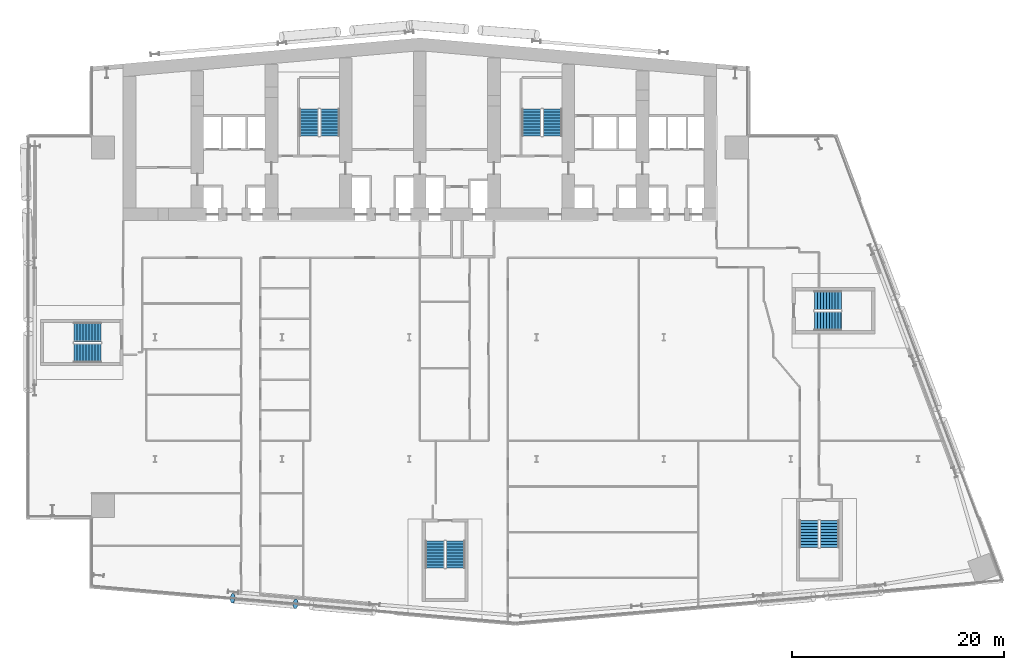
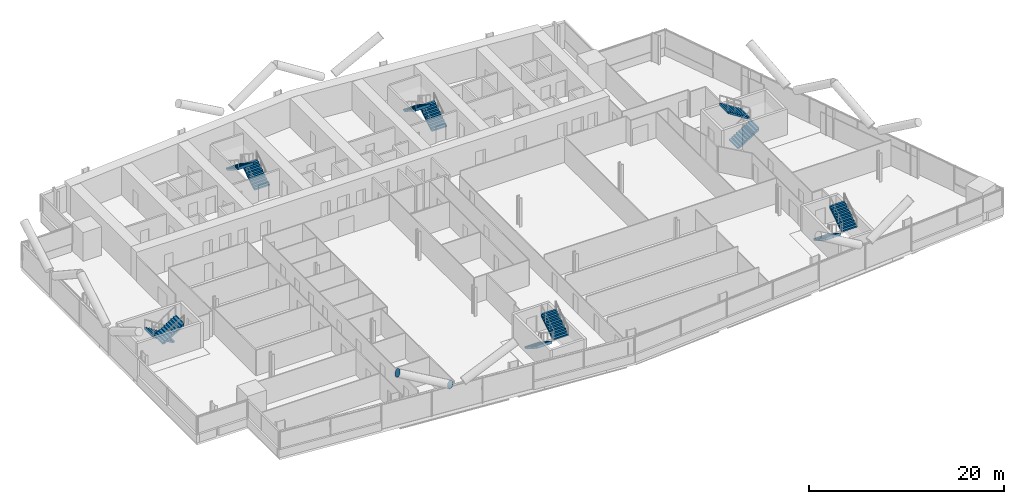
# One storey, part 20 of 27: 12 stair flights, 2 discrete accessories, 6 elements without a shape of their own.
"""IFC4 building model written with IfcOpenShell, lengths in metres."""

from ifc_helpers import new_model, si_unit, direction, frame, origin, origin_2d, place, context, subcontext, project, spatial, polyline, circle, outline, extrude, material, material_profile, profile_set, type_object, element, aggregate, save


model = new_model("IFC4")

# Units and contexts
model_context = context("Model", 3, precision=1e-05, world=origin(), true_north=direction((0.0, 1.0)))
body_context = subcontext(model_context, "Body", "Model", "MODEL_VIEW")
ifc_project = project(units=[si_unit("LENGTHUNIT", "METRE"), si_unit("AREAUNIT", "SQUARE_METRE"), si_unit("VOLUMEUNIT", "CUBIC_METRE"), si_unit("PLANEANGLEUNIT", "RADIAN"), si_unit("MASSUNIT", "GRAM", prefix="KILO")], contexts=[model_context])

# Site, building, storey
site_placement = place(None, origin())
site = spatial("IfcSite", under=ifc_project, at=site_placement, CompositionType="ELEMENT")
building_placement = place(site_placement, origin())
building = spatial("IfcBuilding", under=site, at=building_placement, Name="Wharfspan Tower", CompositionType="ELEMENT")
storey_placement = place(building_placement, frame((0.0, 0.0, 77.5)))
storey = spatial("IfcBuildingStorey", under=building, at=storey_placement, Name="L16", CompositionType="ELEMENT", Elevation=77.5)

# Stair, stair flights
ifc_material_1 = material(Name="Concrete C40/50", Category="concrete")
stair_type = type_object("IfcStairType", Name="Half-turn stair 20 risers 180 mm", PredefinedType="HALF_TURN_STAIR", material=ifc_material_1)
stair_1_placement = place(storey_placement, origin())
stair_1 = element("IfcStair", 1, at=stair_1_placement, inside=storey, type_object=stair_type, Name="L16 stair ST1", PredefinedType="HALF_TURN_STAIR")
stair_flight_type = type_object("IfcStairFlightType", Name="Stair flight 20 risers 180 mm", PredefinedType="STRAIGHT", material=ifc_material_1)
stair_flight_1_placement = place(storey_placement, frame((28.5, 42.0, 0.0), z_axis=(0.0, 0.0, 1.0), x_axis=(0.0, 1.0, 0.0)))
stair_flight_1 = element("IfcStairFlight", 2, at=stair_flight_1_placement, type_object=stair_flight_type, Name="ST1 flight 1", NumberOfRisers=10, NumberOfTreads=9, PredefinedType="STRAIGHT", RiserHeight=0.18, TreadLength=0.28, context=body_context, shape_type="SweptSolid", body=[
    extrude(outline(polyline([(-0.011963, 0.0), (-0.011963, 0.179932), (0.0, 0.179932), (0.280029, 0.179932), (0.280029, 0.360107), (0.560059, 0.360107), (0.560059, 0.540039), (0.840088, 0.540039), (0.840088, 0.719971), (1.120117, 0.719971), (1.120117, 0.899902), (1.399902, 0.899902), (1.399902, 1.080078), (1.679932, 1.080078), (1.679932, 1.26001), (1.959961, 1.26001), (1.959961, 1.439941), (2.23999, 1.439941), (2.23999, 1.620117), (2.52002, 1.620117), (2.531982, 1.800049), (2.531982, 1.441895), (0.2771, 0.0), (-0.011963, 0.0)])), frame((0.0, 0.899902, 0.0), z_axis=(0.0, -1.0, 0.0), x_axis=(1.0, 0.0, 0.0)), (0.0, 0.0, 1.0), 0.899414),
    extrude(outline(polyline([(-0.011963, 0.0), (-0.011963, 0.179932), (0.0, 0.179932), (0.280029, 0.179932), (0.280029, 0.360107), (0.560059, 0.360107), (0.560059, 0.540039), (0.840088, 0.540039), (0.840088, 0.719971), (1.120117, 0.719971), (1.120117, 0.899902), (1.399902, 0.899902), (1.399902, 1.080078), (1.679932, 1.080078), (1.679932, 1.26001), (1.959961, 1.26001), (1.959961, 1.439941), (2.23999, 1.439941), (2.23999, 1.620117), (2.52002, 1.620117), (2.531982, 1.800049), (2.531982, 1.441895), (0.2771, 0.0), (-0.011963, 0.0)])), frame((0.0, -0.000488, 0.0), z_axis=(0.0, -1.0, 0.0), x_axis=(1.0, 0.0, 0.0)), (0.0, 0.0, 1.0), 0.899414),
])
stair_flight_2_placement = place(storey_placement, frame((26.550049, 44.52002, 1.800049), z_axis=(0.0, 0.0, 1.0), x_axis=(0.0, -1.0, 0.0)))
stair_flight_2 = element("IfcStairFlight", 3, at=stair_flight_2_placement, type_object=stair_flight_type, Name="ST1 flight 2", NumberOfRisers=10, NumberOfTreads=9, PredefinedType="STRAIGHT", RiserHeight=0.18, TreadLength=0.28, context=body_context, shape_type="SweptSolid", body=[
    extrude(outline(polyline([(-0.011963, 0.0), (-0.011963, 0.179932), (0.0, 0.179932), (0.280029, 0.179932), (0.280029, 0.360107), (0.560059, 0.360107), (0.560059, 0.540039), (0.840088, 0.540039), (0.840088, 0.719971), (1.120117, 0.719971), (1.120117, 0.899902), (1.399902, 0.899902), (1.399902, 1.080078), (1.679932, 1.080078), (1.679932, 1.26001), (1.959961, 1.26001), (1.959961, 1.439941), (2.23999, 1.439941), (2.23999, 1.620117), (2.52002, 1.620117), (2.531982, 1.800049), (2.531982, 1.441895), (0.2771, 0.0), (-0.011963, 0.0)])), frame((0.0, 0.899902, 0.0), z_axis=(0.0, -1.0, 0.0), x_axis=(1.0, 0.0, 0.0)), (0.0, 0.0, 1.0), 0.899414),
    extrude(outline(polyline([(-0.011963, 0.0), (-0.011963, 0.179932), (0.0, 0.179932), (0.280029, 0.179932), (0.280029, 0.360107), (0.560059, 0.360107), (0.560059, 0.540039), (0.840088, 0.540039), (0.840088, 0.719971), (1.120117, 0.719971), (1.120117, 0.899902), (1.399902, 0.899902), (1.399902, 1.080078), (1.679932, 1.080078), (1.679932, 1.26001), (1.959961, 1.26001), (1.959961, 1.439941), (2.23999, 1.439941), (2.23999, 1.620117), (2.52002, 1.620117), (2.531982, 1.800049), (2.531982, 1.441895), (0.2771, 0.0), (-0.011963, 0.0)])), frame((0.0, -0.000488, 0.0), z_axis=(0.0, -1.0, 0.0), x_axis=(1.0, 0.0, 0.0)), (0.0, 0.0, 1.0), 0.899414),
])
aggregate(stair_1, [stair_flight_1, stair_flight_2])

stair_2_placement = place(storey_placement, origin())
stair_2 = element("IfcStair", 4, at=stair_2_placement, inside=storey, type_object=stair_type, Name="L16 stair ST2", PredefinedType="HALF_TURN_STAIR")
stair_flight_3_placement = place(storey_placement, frame((49.5, 42.0, 0.0), z_axis=(0.0, 0.0, 1.0), x_axis=(0.0, 1.0, 0.0)))
stair_flight_3 = element("IfcStairFlight", 5, at=stair_flight_3_placement, type_object=stair_flight_type, Name="ST2 flight 1", NumberOfRisers=10, NumberOfTreads=9, PredefinedType="STRAIGHT", RiserHeight=0.18, TreadLength=0.28, context=body_context, shape_type="SweptSolid", body=[
    extrude(outline(polyline([(-0.011963, 0.0), (-0.011963, 0.179932), (0.0, 0.179932), (0.280029, 0.179932), (0.280029, 0.360107), (0.560059, 0.360107), (0.560059, 0.540039), (0.840088, 0.540039), (0.840088, 0.719971), (1.120117, 0.719971), (1.120117, 0.899902), (1.399902, 0.899902), (1.399902, 1.080078), (1.679932, 1.080078), (1.679932, 1.26001), (1.959961, 1.26001), (1.959961, 1.439941), (2.23999, 1.439941), (2.23999, 1.620117), (2.52002, 1.620117), (2.531982, 1.800049), (2.531982, 1.441895), (0.2771, 0.0), (-0.011963, 0.0)])), frame((0.0, 0.899902, 0.0), z_axis=(0.0, -1.0, 0.0), x_axis=(1.0, 0.0, 0.0)), (0.0, 0.0, 1.0), 0.899414),
    extrude(outline(polyline([(-0.011963, 0.0), (-0.011963, 0.179932), (0.0, 0.179932), (0.280029, 0.179932), (0.280029, 0.360107), (0.560059, 0.360107), (0.560059, 0.540039), (0.840088, 0.540039), (0.840088, 0.719971), (1.120117, 0.719971), (1.120117, 0.899902), (1.399902, 0.899902), (1.399902, 1.080078), (1.679932, 1.080078), (1.679932, 1.26001), (1.959961, 1.26001), (1.959961, 1.439941), (2.23999, 1.439941), (2.23999, 1.620117), (2.52002, 1.620117), (2.531982, 1.800049), (2.531982, 1.441895), (0.2771, 0.0), (-0.011963, 0.0)])), frame((0.0, -0.000488, 0.0), z_axis=(0.0, -1.0, 0.0), x_axis=(1.0, 0.0, 0.0)), (0.0, 0.0, 1.0), 0.899414),
])
stair_flight_4_placement = place(storey_placement, frame((47.550049, 44.52002, 1.800049), z_axis=(0.0, 0.0, 1.0), x_axis=(0.0, -1.0, 0.0)))
stair_flight_4 = element("IfcStairFlight", 6, at=stair_flight_4_placement, type_object=stair_flight_type, Name="ST2 flight 2", NumberOfRisers=10, NumberOfTreads=9, PredefinedType="STRAIGHT", RiserHeight=0.18, TreadLength=0.28, context=body_context, shape_type="SweptSolid", body=[
    extrude(outline(polyline([(-0.011963, 0.0), (-0.011963, 0.179932), (0.0, 0.179932), (0.280029, 0.179932), (0.280029, 0.360107), (0.560059, 0.360107), (0.560059, 0.540039), (0.840088, 0.540039), (0.840088, 0.719971), (1.120117, 0.719971), (1.120117, 0.899902), (1.399902, 0.899902), (1.399902, 1.080078), (1.679932, 1.080078), (1.679932, 1.26001), (1.959961, 1.26001), (1.959961, 1.439941), (2.23999, 1.439941), (2.23999, 1.620117), (2.52002, 1.620117), (2.531982, 1.800049), (2.531982, 1.441895), (0.2771, 0.0), (-0.011963, 0.0)])), frame((0.0, 0.899902, 0.0), z_axis=(0.0, -1.0, 0.0), x_axis=(1.0, 0.0, 0.0)), (0.0, 0.0, 1.0), 0.899414),
    extrude(outline(polyline([(-0.011963, 0.0), (-0.011963, 0.179932), (0.0, 0.179932), (0.280029, 0.179932), (0.280029, 0.360107), (0.560059, 0.360107), (0.560059, 0.540039), (0.840088, 0.540039), (0.840088, 0.719971), (1.120117, 0.719971), (1.120117, 0.899902), (1.399902, 0.899902), (1.399902, 1.080078), (1.679932, 1.080078), (1.679932, 1.26001), (1.959961, 1.26001), (1.959961, 1.439941), (2.23999, 1.439941), (2.23999, 1.620117), (2.52002, 1.620117), (2.531982, 1.800049), (2.531982, 1.441895), (0.2771, 0.0), (-0.011963, 0.0)])), frame((0.0, -0.000488, 0.0), z_axis=(0.0, -1.0, 0.0), x_axis=(1.0, 0.0, 0.0)), (0.0, 0.0, 1.0), 0.899414),
])
aggregate(stair_2, [stair_flight_3, stair_flight_4])

stair_3_placement = place(storey_placement, origin())
stair_3 = element("IfcStair", 7, at=stair_3_placement, inside=storey, type_object=stair_type, Name="L16 stair ST3", PredefinedType="HALF_TURN_STAIR")
stair_flight_5_placement = place(storey_placement, frame((6.899902, 23.475098, 0.0), z_axis=(0.0, 0.0, 1.0), x_axis=(-1.0, 0.0, 0.0)))
stair_flight_5 = element("IfcStairFlight", 8, at=stair_flight_5_placement, type_object=stair_flight_type, Name="ST3 flight 1", NumberOfRisers=10, NumberOfTreads=9, PredefinedType="STRAIGHT", RiserHeight=0.18, TreadLength=0.28, context=body_context, shape_type="SweptSolid", body=[
    extrude(outline(polyline([(-0.011963, 0.0), (-0.011963, 0.179932), (0.0, 0.179932), (0.280029, 0.179932), (0.280029, 0.360107), (0.560059, 0.360107), (0.560059, 0.540039), (0.840088, 0.540039), (0.840088, 0.719971), (1.120117, 0.719971), (1.120117, 0.899902), (1.399902, 0.899902), (1.399902, 1.080078), (1.679932, 1.080078), (1.679932, 1.26001), (1.959961, 1.26001), (1.959961, 1.439941), (2.23999, 1.439941), (2.23999, 1.620117), (2.52002, 1.620117), (2.531982, 1.800049), (2.531982, 1.441895), (0.2771, 0.0), (-0.011963, 0.0)])), frame((0.0, 0.899902, 0.0), z_axis=(0.0, -1.0, 0.0), x_axis=(1.0, 0.0, 0.0)), (0.0, 0.0, 1.0), 0.899414),
    extrude(outline(polyline([(-0.011963, 0.0), (-0.011963, 0.179932), (0.0, 0.179932), (0.280029, 0.179932), (0.280029, 0.360107), (0.560059, 0.360107), (0.560059, 0.540039), (0.840088, 0.540039), (0.840088, 0.719971), (1.120117, 0.719971), (1.120117, 0.899902), (1.399902, 0.899902), (1.399902, 1.080078), (1.679932, 1.080078), (1.679932, 1.26001), (1.959961, 1.26001), (1.959961, 1.439941), (2.23999, 1.439941), (2.23999, 1.620117), (2.52002, 1.620117), (2.531982, 1.800049), (2.531982, 1.441895), (0.2771, 0.0), (-0.011963, 0.0)])), frame((0.0, -0.000488, 0.0), z_axis=(0.0, -1.0, 0.0), x_axis=(1.0, 0.0, 0.0)), (0.0, 0.0, 1.0), 0.899414),
])
stair_flight_6_placement = place(storey_placement, frame((4.379883, 21.524902, 1.800049), z_axis=(0.0, 0.0, 1.0), x_axis=(1.0, 0.0, 0.0)))
stair_flight_6 = element("IfcStairFlight", 9, at=stair_flight_6_placement, type_object=stair_flight_type, Name="ST3 flight 2", NumberOfRisers=10, NumberOfTreads=9, PredefinedType="STRAIGHT", RiserHeight=0.18, TreadLength=0.28, context=body_context, shape_type="SweptSolid", body=[
    extrude(outline(polyline([(-0.011963, 0.0), (-0.011963, 0.179932), (0.0, 0.179932), (0.280029, 0.179932), (0.280029, 0.360107), (0.560059, 0.360107), (0.560059, 0.540039), (0.840088, 0.540039), (0.840088, 0.719971), (1.120117, 0.719971), (1.120117, 0.899902), (1.399902, 0.899902), (1.399902, 1.080078), (1.679932, 1.080078), (1.679932, 1.26001), (1.959961, 1.26001), (1.959961, 1.439941), (2.23999, 1.439941), (2.23999, 1.620117), (2.52002, 1.620117), (2.531982, 1.800049), (2.531982, 1.441895), (0.2771, 0.0), (-0.011963, 0.0)])), frame((0.0, 0.899902, 0.0), z_axis=(0.0, -1.0, 0.0), x_axis=(1.0, 0.0, 0.0)), (0.0, 0.0, 1.0), 0.899414),
    extrude(outline(polyline([(-0.011963, 0.0), (-0.011963, 0.179932), (0.0, 0.179932), (0.280029, 0.179932), (0.280029, 0.360107), (0.560059, 0.360107), (0.560059, 0.540039), (0.840088, 0.540039), (0.840088, 0.719971), (1.120117, 0.719971), (1.120117, 0.899902), (1.399902, 0.899902), (1.399902, 1.080078), (1.679932, 1.080078), (1.679932, 1.26001), (1.959961, 1.26001), (1.959961, 1.439941), (2.23999, 1.439941), (2.23999, 1.620117), (2.52002, 1.620117), (2.531982, 1.800049), (2.531982, 1.441895), (0.2771, 0.0), (-0.011963, 0.0)])), frame((0.0, -0.000488, 0.0), z_axis=(0.0, -1.0, 0.0), x_axis=(1.0, 0.0, 0.0)), (0.0, 0.0, 1.0), 0.899414),
])
aggregate(stair_3, [stair_flight_5, stair_flight_6])

stair_4_placement = place(storey_placement, origin())
stair_4 = element("IfcStair", 10, at=stair_4_placement, inside=storey, type_object=stair_type, Name="L16 stair ST4", PredefinedType="HALF_TURN_STAIR")
stair_flight_7_placement = place(storey_placement, frame((38.408203, 3.760498, 0.0), z_axis=(0.0, 0.0, 1.0), x_axis=(0.0, -1.0, 0.0)))
stair_flight_7 = element("IfcStairFlight", 11, at=stair_flight_7_placement, type_object=stair_flight_type, Name="ST4 flight 1", NumberOfRisers=10, NumberOfTreads=9, PredefinedType="STRAIGHT", RiserHeight=0.18, TreadLength=0.28, context=body_context, shape_type="SweptSolid", body=[
    extrude(outline(polyline([(-0.011963, 0.0), (-0.011963, 0.179932), (0.0, 0.179932), (0.280029, 0.179932), (0.280029, 0.360107), (0.560059, 0.360107), (0.560059, 0.540039), (0.840088, 0.540039), (0.840088, 0.719971), (1.120117, 0.719971), (1.120117, 0.899902), (1.399902, 0.899902), (1.399902, 1.080078), (1.679932, 1.080078), (1.679932, 1.26001), (1.959961, 1.26001), (1.959961, 1.439941), (2.23999, 1.439941), (2.23999, 1.620117), (2.52002, 1.620117), (2.531982, 1.800049), (2.531982, 1.441895), (0.2771, 0.0), (-0.011963, 0.0)])), frame((0.0, 0.899902, 0.0), z_axis=(0.0, -1.0, 0.0), x_axis=(1.0, 0.0, 0.0)), (0.0, 0.0, 1.0), 0.899414),
    extrude(outline(polyline([(-0.011963, 0.0), (-0.011963, 0.179932), (0.0, 0.179932), (0.280029, 0.179932), (0.280029, 0.360107), (0.560059, 0.360107), (0.560059, 0.540039), (0.840088, 0.540039), (0.840088, 0.719971), (1.120117, 0.719971), (1.120117, 0.899902), (1.399902, 0.899902), (1.399902, 1.080078), (1.679932, 1.080078), (1.679932, 1.26001), (1.959961, 1.26001), (1.959961, 1.439941), (2.23999, 1.439941), (2.23999, 1.620117), (2.52002, 1.620117), (2.531982, 1.800049), (2.531982, 1.441895), (0.2771, 0.0), (-0.011963, 0.0)])), frame((0.0, -0.000488, 0.0), z_axis=(0.0, -1.0, 0.0), x_axis=(1.0, 0.0, 0.0)), (0.0, 0.0, 1.0), 0.899414),
])
stair_flight_8_placement = place(storey_placement, frame((40.358398, 1.240723, 1.800049), z_axis=(0.0, 0.0, 1.0), x_axis=(0.0, 1.0, 0.0)))
stair_flight_8 = element("IfcStairFlight", 12, at=stair_flight_8_placement, type_object=stair_flight_type, Name="ST4 flight 2", NumberOfRisers=10, NumberOfTreads=9, PredefinedType="STRAIGHT", RiserHeight=0.18, TreadLength=0.28, context=body_context, shape_type="SweptSolid", body=[
    extrude(outline(polyline([(-0.011963, 0.0), (-0.011963, 0.179932), (0.0, 0.179932), (0.280029, 0.179932), (0.280029, 0.360107), (0.560059, 0.360107), (0.560059, 0.540039), (0.840088, 0.540039), (0.840088, 0.719971), (1.120117, 0.719971), (1.120117, 0.899902), (1.399902, 0.899902), (1.399902, 1.080078), (1.679932, 1.080078), (1.679932, 1.26001), (1.959961, 1.26001), (1.959961, 1.439941), (2.23999, 1.439941), (2.23999, 1.620117), (2.52002, 1.620117), (2.531982, 1.800049), (2.531982, 1.441895), (0.2771, 0.0), (-0.011963, 0.0)])), frame((0.0, 0.899902, 0.0), z_axis=(0.0, -1.0, 0.0), x_axis=(1.0, 0.0, 0.0)), (0.0, 0.0, 1.0), 0.899414),
    extrude(outline(polyline([(-0.011963, 0.0), (-0.011963, 0.179932), (0.0, 0.179932), (0.280029, 0.179932), (0.280029, 0.360107), (0.560059, 0.360107), (0.560059, 0.540039), (0.840088, 0.540039), (0.840088, 0.719971), (1.120117, 0.719971), (1.120117, 0.899902), (1.399902, 0.899902), (1.399902, 1.080078), (1.679932, 1.080078), (1.679932, 1.26001), (1.959961, 1.26001), (1.959961, 1.439941), (2.23999, 1.439941), (2.23999, 1.620117), (2.52002, 1.620117), (2.531982, 1.800049), (2.531982, 1.441895), (0.2771, 0.0), (-0.011963, 0.0)])), frame((0.0, -0.000488, 0.0), z_axis=(0.0, -1.0, 0.0), x_axis=(1.0, 0.0, 0.0)), (0.0, 0.0, 1.0), 0.899414),
])
aggregate(stair_4, [stair_flight_7, stair_flight_8])

stair_5_placement = place(storey_placement, origin())
stair_5 = element("IfcStair", 13, at=stair_5_placement, inside=storey, type_object=stair_type, Name="L16 stair ST5", PredefinedType="HALF_TURN_STAIR")
stair_flight_9_placement = place(storey_placement, frame((73.717529, 5.691895, 0.0), z_axis=(0.0, 0.0, 1.0), x_axis=(0.0, -1.0, 0.0)))
stair_flight_9 = element("IfcStairFlight", 14, at=stair_flight_9_placement, type_object=stair_flight_type, Name="ST5 flight 1", NumberOfRisers=10, NumberOfTreads=9, PredefinedType="STRAIGHT", RiserHeight=0.18, TreadLength=0.28, context=body_context, shape_type="SweptSolid", body=[
    extrude(outline(polyline([(-0.011963, 0.0), (-0.011963, 0.179932), (0.0, 0.179932), (0.280029, 0.179932), (0.280029, 0.360107), (0.560059, 0.360107), (0.560059, 0.540039), (0.840088, 0.540039), (0.840088, 0.719971), (1.120117, 0.719971), (1.120117, 0.899902), (1.399902, 0.899902), (1.399902, 1.080078), (1.679932, 1.080078), (1.679932, 1.26001), (1.959961, 1.26001), (1.959961, 1.439941), (2.23999, 1.439941), (2.23999, 1.620117), (2.52002, 1.620117), (2.531982, 1.800049), (2.531982, 1.441895), (0.2771, 0.0), (-0.011963, 0.0)])), frame((0.0, 0.899902, 0.0), z_axis=(0.0, -1.0, 0.0), x_axis=(1.0, 0.0, 0.0)), (0.0, 0.0, 1.0), 0.899414),
    extrude(outline(polyline([(-0.011963, 0.0), (-0.011963, 0.179932), (0.0, 0.179932), (0.280029, 0.179932), (0.280029, 0.360107), (0.560059, 0.360107), (0.560059, 0.540039), (0.840088, 0.540039), (0.840088, 0.719971), (1.120117, 0.719971), (1.120117, 0.899902), (1.399902, 0.899902), (1.399902, 1.080078), (1.679932, 1.080078), (1.679932, 1.26001), (1.959961, 1.26001), (1.959961, 1.439941), (2.23999, 1.439941), (2.23999, 1.620117), (2.52002, 1.620117), (2.531982, 1.800049), (2.531982, 1.441895), (0.2771, 0.0), (-0.011963, 0.0)])), frame((0.0, -0.000488, 0.0), z_axis=(0.0, -1.0, 0.0), x_axis=(1.0, 0.0, 0.0)), (0.0, 0.0, 1.0), 0.899414),
])
stair_flight_10_placement = place(storey_placement, frame((75.66748, 3.172119, 1.800049), z_axis=(0.0, 0.0, 1.0), x_axis=(0.0, 1.0, 0.0)))
stair_flight_10 = element("IfcStairFlight", 15, at=stair_flight_10_placement, type_object=stair_flight_type, Name="ST5 flight 2", NumberOfRisers=10, NumberOfTreads=9, PredefinedType="STRAIGHT", RiserHeight=0.18, TreadLength=0.28, context=body_context, shape_type="SweptSolid", body=[
    extrude(outline(polyline([(-0.011963, 0.0), (-0.011963, 0.179932), (0.0, 0.179932), (0.280029, 0.179932), (0.280029, 0.360107), (0.560059, 0.360107), (0.560059, 0.540039), (0.840088, 0.540039), (0.840088, 0.719971), (1.120117, 0.719971), (1.120117, 0.899902), (1.399902, 0.899902), (1.399902, 1.080078), (1.679932, 1.080078), (1.679932, 1.26001), (1.959961, 1.26001), (1.959961, 1.439941), (2.23999, 1.439941), (2.23999, 1.620117), (2.52002, 1.620117), (2.531982, 1.800049), (2.531982, 1.441895), (0.2771, 0.0), (-0.011963, 0.0)])), frame((0.0, 0.899902, 0.0), z_axis=(0.0, -1.0, 0.0), x_axis=(1.0, 0.0, 0.0)), (0.0, 0.0, 1.0), 0.899414),
    extrude(outline(polyline([(-0.011963, 0.0), (-0.011963, 0.179932), (0.0, 0.179932), (0.280029, 0.179932), (0.280029, 0.360107), (0.560059, 0.360107), (0.560059, 0.540039), (0.840088, 0.540039), (0.840088, 0.719971), (1.120117, 0.719971), (1.120117, 0.899902), (1.399902, 0.899902), (1.399902, 1.080078), (1.679932, 1.080078), (1.679932, 1.26001), (1.959961, 1.26001), (1.959961, 1.439941), (2.23999, 1.439941), (2.23999, 1.620117), (2.52002, 1.620117), (2.531982, 1.800049), (2.531982, 1.441895), (0.2771, 0.0), (-0.011963, 0.0)])), frame((0.0, -0.000488, 0.0), z_axis=(0.0, -1.0, 0.0), x_axis=(1.0, 0.0, 0.0)), (0.0, 0.0, 1.0), 0.899414),
])
aggregate(stair_5, [stair_flight_9, stair_flight_10])

stair_6_placement = place(storey_placement, origin())
stair_6 = element("IfcStair", 16, at=stair_6_placement, inside=storey, type_object=stair_type, Name="L16 stair ST6", PredefinedType="HALF_TURN_STAIR")
stair_flight_11_placement = place(storey_placement, frame((74.225098, 24.524902, 0.0), z_axis=(0.0, 0.0, 1.0), x_axis=(1.0, 0.0, 0.0)))
stair_flight_11 = element("IfcStairFlight", 17, at=stair_flight_11_placement, type_object=stair_flight_type, Name="ST6 flight 1", NumberOfRisers=10, NumberOfTreads=9, PredefinedType="STRAIGHT", RiserHeight=0.18, TreadLength=0.28, context=body_context, shape_type="SweptSolid", body=[
    extrude(outline(polyline([(-0.011963, 0.0), (-0.011963, 0.179932), (0.0, 0.179932), (0.280029, 0.179932), (0.280029, 0.360107), (0.560059, 0.360107), (0.560059, 0.540039), (0.840088, 0.540039), (0.840088, 0.719971), (1.120117, 0.719971), (1.120117, 0.899902), (1.399902, 0.899902), (1.399902, 1.080078), (1.679932, 1.080078), (1.679932, 1.26001), (1.959961, 1.26001), (1.959961, 1.439941), (2.23999, 1.439941), (2.23999, 1.620117), (2.52002, 1.620117), (2.531982, 1.800049), (2.531982, 1.441895), (0.2771, 0.0), (-0.011963, 0.0)])), frame((0.0, 0.899902, 0.0), z_axis=(0.0, -1.0, 0.0), x_axis=(1.0, 0.0, 0.0)), (0.0, 0.0, 1.0), 0.899414),
    extrude(outline(polyline([(-0.011963, 0.0), (-0.011963, 0.179932), (0.0, 0.179932), (0.280029, 0.179932), (0.280029, 0.360107), (0.560059, 0.360107), (0.560059, 0.540039), (0.840088, 0.540039), (0.840088, 0.719971), (1.120117, 0.719971), (1.120117, 0.899902), (1.399902, 0.899902), (1.399902, 1.080078), (1.679932, 1.080078), (1.679932, 1.26001), (1.959961, 1.26001), (1.959961, 1.439941), (2.23999, 1.439941), (2.23999, 1.620117), (2.52002, 1.620117), (2.531982, 1.800049), (2.531982, 1.441895), (0.2771, 0.0), (-0.011963, 0.0)])), frame((0.0, -0.000488, 0.0), z_axis=(0.0, -1.0, 0.0), x_axis=(1.0, 0.0, 0.0)), (0.0, 0.0, 1.0), 0.899414),
])
stair_flight_12_placement = place(storey_placement, frame((76.745117, 26.475098, 1.800049), z_axis=(0.0, 0.0, 1.0), x_axis=(-1.0, 0.0, 0.0)))
stair_flight_12 = element("IfcStairFlight", 18, at=stair_flight_12_placement, type_object=stair_flight_type, Name="ST6 flight 2", NumberOfRisers=10, NumberOfTreads=9, PredefinedType="STRAIGHT", RiserHeight=0.18, TreadLength=0.28, context=body_context, shape_type="SweptSolid", body=[
    extrude(outline(polyline([(-0.011963, 0.0), (-0.011963, 0.179932), (0.0, 0.179932), (0.280029, 0.179932), (0.280029, 0.360107), (0.560059, 0.360107), (0.560059, 0.540039), (0.840088, 0.540039), (0.840088, 0.719971), (1.120117, 0.719971), (1.120117, 0.899902), (1.399902, 0.899902), (1.399902, 1.080078), (1.679932, 1.080078), (1.679932, 1.26001), (1.959961, 1.26001), (1.959961, 1.439941), (2.23999, 1.439941), (2.23999, 1.620117), (2.52002, 1.620117), (2.531982, 1.800049), (2.531982, 1.441895), (0.2771, 0.0), (-0.011963, 0.0)])), frame((0.0, 0.899902, 0.0), z_axis=(0.0, -1.0, 0.0), x_axis=(1.0, 0.0, 0.0)), (0.0, 0.0, 1.0), 0.899414),
    extrude(outline(polyline([(-0.011963, 0.0), (-0.011963, 0.179932), (0.0, 0.179932), (0.280029, 0.179932), (0.280029, 0.360107), (0.560059, 0.360107), (0.560059, 0.540039), (0.840088, 0.540039), (0.840088, 0.719971), (1.120117, 0.719971), (1.120117, 0.899902), (1.399902, 0.899902), (1.399902, 1.080078), (1.679932, 1.080078), (1.679932, 1.26001), (1.959961, 1.26001), (1.959961, 1.439941), (2.23999, 1.439941), (2.23999, 1.620117), (2.52002, 1.620117), (2.531982, 1.800049), (2.531982, 1.441895), (0.2771, 0.0), (-0.011963, 0.0)])), frame((0.0, -0.000488, 0.0), z_axis=(0.0, -1.0, 0.0), x_axis=(1.0, 0.0, 0.0)), (0.0, 0.0, 1.0), 0.899414),
])
aggregate(stair_6, [stair_flight_11, stair_flight_12])

# Discrete accessories
ifc_material_2 = material(Name="Steel S460NH", Category="steel")
ifc_material_profile = material_profile(ifc_material_2, circle(Radius=0.457031, at=origin_2d()))
ifc_profile_set = profile_set([ifc_material_profile], Name="Steel S460NH")
discrete_accessory_type = type_object("IfcDiscreteAccessoryType", Name="End plate CHS 914x40", PredefinedType="BRACKET", material=ifc_profile_set)
for number, where, z_axis, x_axis, name in (
    (19, (25.271973, -2.155762, 3.295654), (-0.871847, 0.072654, 0.484359), (-0.083044, -0.996547, 3e-06), "End plate CHS 914x40"),
    (20, (19.338135, -1.636719, 6.5), (-0.881993, 0.073499, 0.465496), (-0.083046, -0.996545, -2e-06), "End plate CHS 914x40"),
):
    element("IfcDiscreteAccessory", number, at=place(storey_placement, frame(where, z_axis=z_axis, x_axis=x_axis)), inside=storey, type_object=discrete_accessory_type, Name=name, PredefinedType="BRACKET", context=body_context, shape_type="SweptSolid", body=[
        extrude(circle(Radius=0.457031, at=origin_2d()), origin(), (0.0, 0.0, 1.0), 0.01001),
    ])

save(model, "model.ifc")
